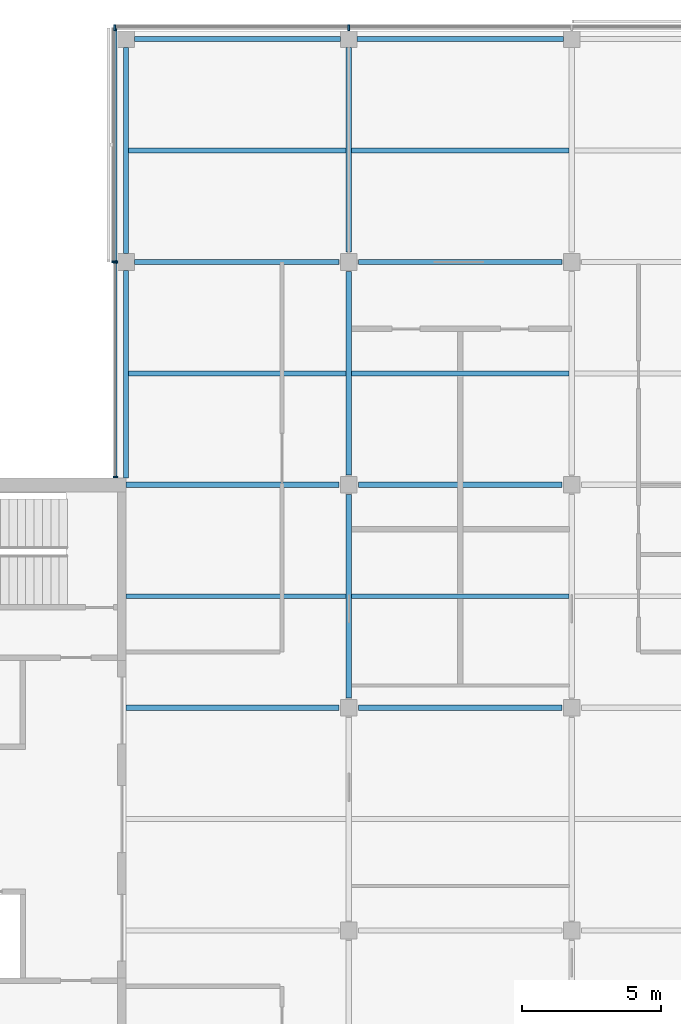
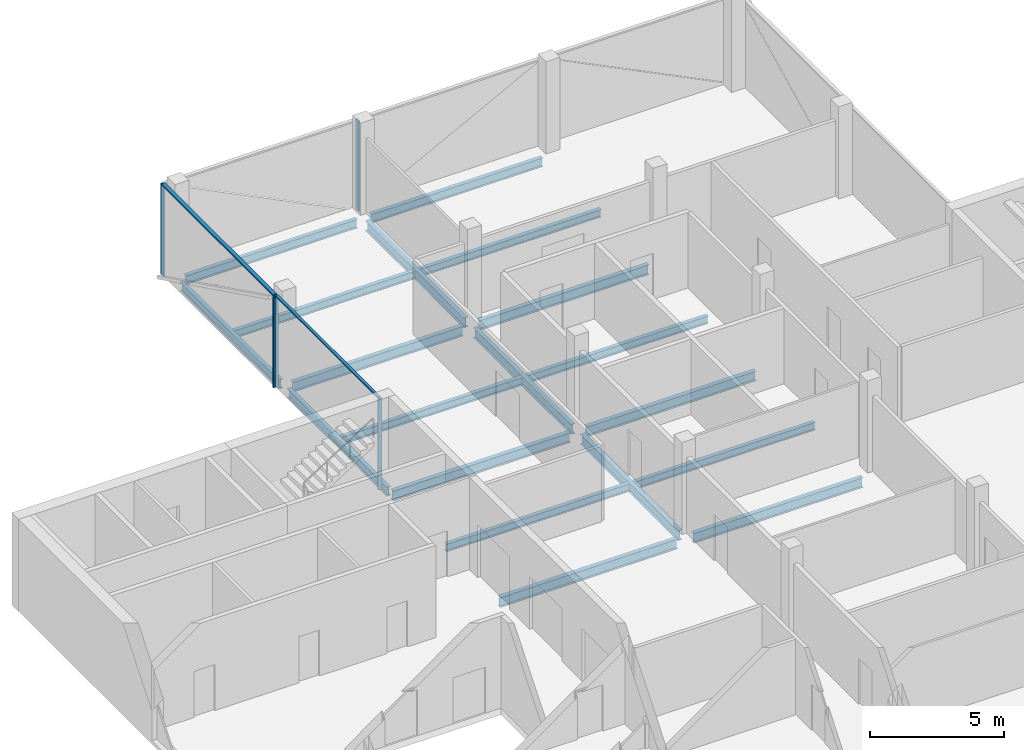
# One storey, part 5 of 16: 19 beams, 7 members, 3 elements without a shape of their own.
"""IFC4 building model written with IfcOpenShell, lengths in metres."""

import ifcopenshell
import ifcopenshell.guid

model = None  # the IFC model being written
_history = None  # IfcOwnerHistory: only IFC2X3 demands one
_inside = {}  # id of a spatial element -> (the spatial element, [elements in it])
_under = {}  # id of a project, library or spatial element -> (it, [spatial elements below it])
_declared = {}  # id of a project -> (the project, [libraries it declares])
_typed = {}  # id of a type object -> (the type object, [elements of that type])
_made_of = {}  # id of a material, layer set ... -> (it, [elements and type objects made of it])


def new_model(schema):
    """Start an empty IFC model of exactly this schema.

    Asked for "IFC4X3", IfcOpenShell would pick the latest addendum, in which some entities
    have other attributes; the version numbers below select the first issue.
    IFC2X3 requires an IfcOwnerHistory on every rooted entity: one is made here for all.
    """
    global model, _history
    if schema == "IFC4X3":
        model = ifcopenshell.file(schema_version=(4, 3, 0, 0))
    else:
        model = ifcopenshell.file(schema=schema)
    _inside.clear()
    _under.clear()
    _declared.clear()
    _typed.clear()
    _made_of.clear()
    _history = None
    if model.schema == "IFC2X3":
        org = make("IfcOrganization", Name="unknown")
        user = make(
            "IfcPersonAndOrganization",
            ThePerson=make("IfcPerson", FamilyName="unknown"),
            TheOrganization=org,
        )
        app = make(
            "IfcApplication",
            ApplicationDeveloper=org,
            Version="unknown",
            ApplicationFullName="unknown",
            ApplicationIdentifier="unknown",
        )
        _history = make(
            "IfcOwnerHistory",
            OwningUser=user,
            OwningApplication=app,
            ChangeAction="ADDED",
            CreationDate=0,
        )
    return model


def make(cls, **values):
    """One entity of the class cls with the attributes given. An attribute that is None is left unset."""
    return model.create_entity(
        cls, **{name: value for name, value in values.items() if value is not None}
    )


def rooted(cls, **values):
    """An entity with a GlobalId (a new one), such as an element, a storey or a relation."""
    return make(cls, GlobalId=ifcopenshell.guid.new(), OwnerHistory=_history, **values)


def si_unit(unit_type, name, prefix=None):
    """IfcSIUnit, for example si_unit("LENGTHUNIT", "METRE", prefix="MILLI")."""
    return make("IfcSIUnit", UnitType=unit_type, Prefix=prefix, Name=name)


def assignment(units):
    """IfcUnitAssignment: the units of a project."""
    return None if units is None else make("IfcUnitAssignment", Units=units)


def point(xyz):
    """IfcCartesianPoint."""
    return None if xyz is None else make("IfcCartesianPoint", Coordinates=xyz)


def direction(xyz):
    """IfcDirection."""
    return None if xyz is None else make("IfcDirection", DirectionRatios=xyz)


def frame(location, z_axis=None, x_axis=None):
    """IfcAxis2Placement3D, a coordinate frame: its origin and axes. An axis left out is left unset."""
    return make(
        "IfcAxis2Placement3D",
        Location=point(location),
        Axis=direction(z_axis),
        RefDirection=direction(x_axis),
    )


def frame_2d(location, x_axis=None):
    """IfcAxis2Placement2D, a coordinate frame in the plane: its origin and x axis."""
    return make(
        "IfcAxis2Placement2D", Location=point(location), RefDirection=direction(x_axis)
    )


def origin():
    """The frame at (0, 0, 0) with its axes left unset."""
    return frame((0.0, 0.0, 0.0))


def origin_2d():
    """The frame at (0, 0) in the plane with its x axis left unset."""
    return frame_2d((0.0, 0.0))


def place(relative_to, where):
    """IfcLocalPlacement: puts the frame where relative to a parent placement (None: the world)."""
    return make(
        "IfcLocalPlacement", PlacementRelTo=relative_to, RelativePlacement=where
    )


def context(
    kind, dimensions, precision=None, world=None, true_north=None, identifier=None
):
    """IfcGeometricRepresentationContext, for example the 3D "Model" context."""
    return make(
        "IfcGeometricRepresentationContext",
        ContextIdentifier=identifier,
        ContextType=kind,
        CoordinateSpaceDimension=dimensions,
        Precision=precision,
        WorldCoordinateSystem=world,
        TrueNorth=true_north,
    )


def subcontext(parent, identifier, kind, view, scale=None):
    """IfcGeometricRepresentationSubContext, for example "Body" below "Model"."""
    return make(
        "IfcGeometricRepresentationSubContext",
        ContextIdentifier=identifier,
        ContextType=kind,
        ParentContext=parent,
        TargetScale=scale,
        TargetView=view,
    )


def project(units=None, contexts=None):
    """IfcProject with its units and contexts."""
    return rooted(
        "IfcProject",
        Name="project",
        RepresentationContexts=contexts,
        UnitsInContext=assignment(units),
    )


def spatial(cls, under=None, at=None, **own):
    """A site, building, storey or space (cls), placed at a placement, below another one or the project."""
    s = rooted(cls, ObjectPlacement=at, **own)
    if under is not None:
        _under.setdefault(under.id(), (under, []))[1].append(s)
    return s


def profile(cls, at=None, kind="AREA", **sizes):
    """A parametric profile (cls). Its sizes go by their IFC names, for example OverallWidth=200.0."""
    return make(cls, ProfileType=kind, Position=at, **sizes)


def rectangle(**sizes):
    """IfcRectangleProfileDef."""
    return profile("IfcRectangleProfileDef", **sizes)


def i_section(**sizes):
    """IfcIShapeProfileDef."""
    return profile("IfcIShapeProfileDef", **sizes)


def extrude(swept, where, along, depth):
    """IfcExtrudedAreaSolid: the profile swept, set in the frame where, extruded along a direction by depth."""
    return make(
        "IfcExtrudedAreaSolid",
        SweptArea=swept,
        Position=where,
        ExtrudedDirection=direction(along),
        Depth=depth,
    )


def shape(context_of_items, identifier, shape_type, items):
    """IfcShapeRepresentation: the items that make up one representation, for example the "Body"."""
    return make(
        "IfcShapeRepresentation",
        ContextOfItems=context_of_items,
        RepresentationIdentifier=identifier,
        RepresentationType=shape_type,
        Items=items,
    )


def material(Name=None, Category=None):
    """IfcMaterial."""
    return make("IfcMaterial", Name=Name, Category=Category)


def material_profile(
    of_material, cross_section, Name=None, Category=None, Priority=None
):
    """IfcMaterialProfile: a cross section and its material."""
    return make(
        "IfcMaterialProfile",
        Name=Name,
        Material=of_material,
        Profile=cross_section,
        Priority=Priority,
        Category=Category,
    )


def profile_set(profiles, Name=None, composite=None):
    """IfcMaterialProfileSet."""
    return make(
        "IfcMaterialProfileSet",
        Name=Name,
        MaterialProfiles=profiles,
        CompositeProfile=composite,
    )


def made_of(thing, what):
    """Note that an element or type object is made of a material, layer set ...; save() writes the relation."""
    if what is not None:
        _made_of.setdefault(what.id(), (what, []))[1].append(thing)
    return thing


def type_object(cls, material=None, **own):
    """A type object (cls), such as IfcWallType, which elements share."""
    return made_of(rooted(cls, **own), material)


def element(
    cls,
    number,
    at=None,
    inside=None,
    cuts=None,
    type_object=None,
    material=None,
    context=None,
    identifier="Body",
    shape_type=None,
    held_by="IfcProductDefinitionShape",
    body=None,
    shapes=None,
    **own,
):
    """One element of the class cls, such as IfcWall. Its Tag is "e" and its number.

    at: its placement. inside: the storey or other place that contains it. cuts: it is an
    opening in that element (IfcRelVoidsElement). A single representation is given by context,
    identifier, shape_type and body (its items); several are given by shapes. held_by: the class
    of the entity that holds the representations. save() writes the other relations.
    """
    e = rooted(cls, Tag="e%d" % number, ObjectPlacement=at, **own)
    if body is not None:
        shapes = [shape(context, identifier, shape_type, body)]
    if shapes is not None:
        e.Representation = make(held_by, Representations=shapes)
    if inside is not None:
        _inside.setdefault(inside.id(), (inside, []))[1].append(e)
    if cuts is not None:
        rooted(
            "IfcRelVoidsElement", RelatingBuildingElement=cuts, RelatedOpeningElement=e
        )
    if type_object is not None:
        _typed.setdefault(type_object.id(), (type_object, []))[1].append(e)
    return made_of(e, material)


def aggregate(whole, parts):
    """IfcRelAggregates: a whole, such as a stair, and the parts it consists of."""
    return rooted("IfcRelAggregates", RelatingObject=whole, RelatedObjects=parts)


def save(model, path):
    """Write the relations noted so far, then the file.

    IfcRelAggregates (storeys below a building ...), IfcRelContainedInSpatialStructure (elements
    in a storey), IfcRelDefinesByType, IfcRelAssociatesMaterial and IfcRelDeclares: one each for
    every whole, place, type object, material and project.
    """
    for whole, parts in _under.values():
        aggregate(whole, parts)
    for where, things in _inside.values():
        rooted(
            "IfcRelContainedInSpatialStructure",
            RelatedElements=things,
            RelatingStructure=where,
        )
    for kind, things in _typed.values():
        rooted("IfcRelDefinesByType", RelatedObjects=things, RelatingType=kind)
    for what, things in _made_of.values():
        rooted("IfcRelAssociatesMaterial", RelatedObjects=things, RelatingMaterial=what)
    for by, libraries in _declared.values():
        rooted("IfcRelDeclares", RelatingContext=by, RelatedDefinitions=libraries)
    model.write(path)


model = new_model("IFC4")

# Units and contexts
model_context = context("Model", 3, precision=1e-05, world=origin(), true_north=direction((0.0, 1.0)))
body_context = subcontext(model_context, "Body", "Model", "MODEL_VIEW")
ifc_project = project(units=[si_unit("LENGTHUNIT", "METRE"), si_unit("AREAUNIT", "SQUARE_METRE"), si_unit("VOLUMEUNIT", "CUBIC_METRE"), si_unit("PLANEANGLEUNIT", "RADIAN"), si_unit("MASSUNIT", "GRAM", prefix="KILO")], contexts=[model_context])

# Site, building, storey
site_placement = place(None, origin())
site = spatial("IfcSite", under=ifc_project, at=site_placement, CompositionType="ELEMENT")
building_placement = place(site_placement, origin())
building = spatial("IfcBuilding", under=site, at=building_placement, Name="Crosswind Convention Tower", CompositionType="ELEMENT")
storey_placement = place(building_placement, frame((0.0, 0.0, 295.5)))
storey = spatial("IfcBuildingStorey", under=building, at=storey_placement, Name="L64", CompositionType="ELEMENT", Elevation=295.5)

# Beams
ifc_material_1 = material(Name="Steel S355", Category="steel")
ifc_material_profile_1 = material_profile(ifc_material_1, i_section(OverallWidth=0.177734375, OverallDepth=0.406494140625, WebThickness=0.0078125, FlangeThickness=0.0126953125, FilletRadius=0.01025390625, at=origin_2d()), Name="UB 406x178x60")
ifc_profile_set_1 = profile_set([ifc_material_profile_1], Name="Steel S355")
beam_type_1 = type_object("IfcBeamType", Name="Edge beam UB 406x178x60", PredefinedType="SPANDREL", material=ifc_profile_set_1)
beam_1_placement = place(storey_placement, frame((113.0, 112.25, -0.503173828125), z_axis=(0.0, 1.0, 0.0), x_axis=(-1.0, 0.0, 0.0)))
element("IfcBeam", 1, at=beam_1_placement, inside=storey, type_object=beam_type_1, Name="B15 L64 edge beam 3", PredefinedType="SPANDREL", context=body_context, shape_type="SweptSolid", body=[
    extrude(i_section(OverallWidth=0.177734375, OverallDepth=0.406494140625, WebThickness=0.0078125, FlangeThickness=0.0126953125, FilletRadius=0.01025390625, at=origin_2d()), origin(), (0.0, 0.0, 1.0), 7.449951171875),
])
for number, where, z_axis, x_axis, name in (
    (2, (113.0, 120.300048828125, -0.503173828125), (0.0, 1.0, 0.0), (-1.0, 0.0, 0.0), "B15 L64 edge beam 4"),
    (3, (113.300048828125, 128.0, -0.503173828125), (1.0, 0.0, 0.0), (0.0, 1.0, 0.0), "B15 L64 edge beam 6"),
    (4, (121.300048828125, 128.0, -0.503173828125), (1.0, 0.0, 0.0), (0.0, 1.0, 0.0), "B15 L64 edge beam 8"),
):
    element("IfcBeam", number, at=place(storey_placement, frame(where, z_axis=z_axis, x_axis=x_axis)), inside=storey, type_object=beam_type_1, Name=name, PredefinedType="SPANDREL", context=body_context, shape_type="SweptSolid", body=[
        extrude(i_section(OverallWidth=0.177734375, OverallDepth=0.406494140625, WebThickness=0.0078125, FlangeThickness=0.0126953125, FilletRadius=0.01025390625, at=origin_2d()), origin(), (0.0, 0.0, 1.0), 7.39990234375),
    ])
ifc_material_profile_2 = material_profile(ifc_material_1, i_section(OverallWidth=0.18994140625, OverallDepth=0.45361328125, WebThickness=0.008544921875, FlangeThickness=0.0126953125, FilletRadius=0.01025390625, at=origin_2d()), Name="UB 457x191x67")
ifc_profile_set_2 = profile_set([ifc_material_profile_2], Name="Steel S355")
beam_type_2 = type_object("IfcBeamType", Name="Girder UB 457x191x67", PredefinedType="BEAM", material=ifc_profile_set_2)
beam_2_placement = place(storey_placement, frame((113.300048828125, 120.0, -0.52685546875), z_axis=(1.0, 0.0, 0.0), x_axis=(0.0, 1.0, 0.0)))
element("IfcBeam", 5, at=beam_2_placement, inside=storey, type_object=beam_type_2, Name="B1 L64 girder 2", PredefinedType="BEAM", context=body_context, shape_type="SweptSolid", body=[
    extrude(i_section(OverallWidth=0.18994140625, OverallDepth=0.45361328125, WebThickness=0.008544921875, FlangeThickness=0.0126953125, FilletRadius=0.01025390625, at=origin_2d()), origin(), (0.0, 0.0, 1.0), 7.349853515625),
])
for number, where, z_axis, x_axis, name in (
    (6, (121.0, 104.35009765625, -0.52685546875), (0.0, 1.0, 0.0), (-1.0, 0.0, 0.0), "B1 L64 girder 7"),
    (7, (121.0, 112.35009765625, -0.52685546875), (0.0, 1.0, 0.0), (-1.0, 0.0, 0.0), "B1 L64 girder 8"),
):
    element("IfcBeam", number, at=place(storey_placement, frame(where, z_axis=z_axis, x_axis=x_axis)), inside=storey, type_object=beam_type_2, Name=name, PredefinedType="BEAM", context=body_context, shape_type="SweptSolid", body=[
        extrude(i_section(OverallWidth=0.18994140625, OverallDepth=0.45361328125, WebThickness=0.008544921875, FlangeThickness=0.0126953125, FilletRadius=0.01025390625, at=origin_2d()), origin(), (0.0, 0.0, 1.0), 7.2998046875),
    ])
beam_3_placement = place(storey_placement, frame((121.0, 120.35009765625, -0.52685546875), z_axis=(0.0, 1.0, 0.0), x_axis=(-1.0, 0.0, 0.0)))
element("IfcBeam", 8, at=beam_3_placement, inside=storey, type_object=beam_type_2, Name="B1 L64 girder 9", PredefinedType="BEAM", context=body_context, shape_type="SweptSolid", body=[
    extrude(i_section(OverallWidth=0.18994140625, OverallDepth=0.45361328125, WebThickness=0.008544921875, FlangeThickness=0.0126953125, FilletRadius=0.01025390625, at=origin_2d()), origin(), (0.0, 0.0, 1.0), 7.349853515625),
])
for number, where, z_axis, x_axis, name in (
    (9, (121.35009765625, 104.0, -0.52685546875), (1.0, 0.0, 0.0), (0.0, 1.0, 0.0), "B1 L64 girder 13"),
    (10, (121.35009765625, 112.0, -0.52685546875), (1.0, 0.0, 0.0), (0.0, 1.0, 0.0), "B1 L64 girder 14"),
    (11, (121.35009765625, 120.0, -0.52685546875), (1.0, 0.0, 0.0), (0.0, 1.0, 0.0), "B1 L64 girder 15"),
):
    element("IfcBeam", number, at=place(storey_placement, frame(where, z_axis=z_axis, x_axis=x_axis)), inside=storey, type_object=beam_type_2, Name=name, PredefinedType="BEAM", context=body_context, shape_type="SweptSolid", body=[
        extrude(i_section(OverallWidth=0.18994140625, OverallDepth=0.45361328125, WebThickness=0.008544921875, FlangeThickness=0.0126953125, FilletRadius=0.01025390625, at=origin_2d()), origin(), (0.0, 0.0, 1.0), 7.2998046875),
    ])
ifc_material_profile_3 = material_profile(ifc_material_1, i_section(OverallWidth=0.1904296875, OverallDepth=0.457275390625, WebThickness=0.009033203125, FlangeThickness=0.014404296875, FilletRadius=0.01025390625, at=origin_2d()), Name="UB 457x191x75")
ifc_profile_set_3 = profile_set([ifc_material_profile_3], Name="Steel S355")
beam_type_3 = type_object("IfcBeamType", Name="Girder at core wall UB 457x191x75", PredefinedType="BEAM", material=ifc_profile_set_3)
for number, where, z_axis, x_axis, name in (
    (12, (113.0, 104.0, -0.528564453125), (1.0, 0.0, 0.0), (0.0, 1.0, 0.0), "B22 L64 girder at core wall 3"),
    (13, (113.0, 112.0, -0.528564453125), (1.0, 0.0, 0.0), (0.0, 1.0, 0.0), "B22 L64 girder at core wall 4"),
):
    element("IfcBeam", number, at=place(storey_placement, frame(where, z_axis=z_axis, x_axis=x_axis)), inside=storey, type_object=beam_type_3, Name=name, PredefinedType="BEAM", context=body_context, shape_type="SweptSolid", body=[
        extrude(i_section(OverallWidth=0.1904296875, OverallDepth=0.457275390625, WebThickness=0.009033203125, FlangeThickness=0.014404296875, FilletRadius=0.01025390625, at=origin_2d()), origin(), (0.0, 0.0, 1.0), 7.64990234375),
    ])

# Curtain wall, members
ifc_material_2 = material(Name="Aluminium unitised curtain wall", Category="aluminium")
curtain_wall_type_1 = type_object("IfcCurtainWallType", Name="CORE END SLOT WALL 160", PredefinedType="USERDEFINED", material=ifc_material_2)
curtain_wall_1_placement = place(storey_placement, origin())
curtain_wall_1 = element("IfcCurtainWall", 14, at=curtain_wall_1_placement, inside=storey, type_object=curtain_wall_type_1, Name="CW6 L64 N-W.1-2 slot", ObjectType="UNITISED", PredefinedType="USERDEFINED")
ifc_material_3 = material(Name="Aluminium mullion", Category="aluminium")
ifc_material_profile_4 = material_profile(ifc_material_3, rectangle(XDim=0.159912109375, YDim=0.050048828125, at=origin_2d()), Name="AL 160X50")
ifc_profile_set_4 = profile_set([ifc_material_profile_4], Name="Aluminium mullion")
member_type_1 = type_object("IfcMemberType", Name="MULLION 50X160", PredefinedType="MULLION", material=ifc_profile_set_4)
member_1_placement = place(storey_placement, frame((112.6201171875, 119.97509765625, -0.300048828125), z_axis=(0.0, 0.0, 1.0), x_axis=(-1.0, 0.0, 0.0)))
member_1 = element("IfcMember", 15, at=member_1_placement, type_object=member_type_1, Name="CW6 mullion 1", PredefinedType="MULLION", context=body_context, shape_type="SweptSolid", body=[
    extrude(rectangle(XDim=0.159912109375, YDim=0.050048828125, at=origin_2d()), origin(), (0.0, 0.0, 1.0), 4.150146484375),
])
member_2_placement = place(storey_placement, frame((112.6201171875, 112.27490234375, -0.300048828125), z_axis=(0.0, 0.0, 1.0), x_axis=(-1.0, 0.0, 0.0)))
member_2 = element("IfcMember", 16, at=member_2_placement, type_object=member_type_1, Name="CW6 mullion 2", PredefinedType="MULLION", context=body_context, shape_type="SweptSolid", body=[
    extrude(rectangle(XDim=0.159912109375, YDim=0.050048828125, at=origin_2d()), origin(), (0.0, 0.0, 1.0), 4.150146484375),
])

curtain_wall_type_2 = type_object("IfcCurtainWallType", Name="OFFICE UNITISED WALL 220", PredefinedType="USERDEFINED", material=ifc_material_2)
curtain_wall_2_placement = place(storey_placement, origin())
curtain_wall_2 = element("IfcCurtainWall", 17, at=curtain_wall_2_placement, inside=storey, type_object=curtain_wall_type_2, Name="CW3 L64 N-TIP 1", ObjectType="UNITISED", PredefinedType="USERDEFINED")
ifc_material_profile_5 = material_profile(ifc_material_3, rectangle(XDim=0.219970703125, YDim=0.070068359375, at=origin_2d()), Name="AL 220X70")
ifc_profile_set_5 = profile_set([ifc_material_profile_5], Name="Aluminium mullion")
member_type_2 = type_object("IfcMemberType", Name="MULLION 70X220", PredefinedType="MULLION", material=ifc_profile_set_5)
member_3_placement = place(storey_placement, frame((121.0, 128.409912109375, -0.300048828125), z_axis=(0.0, 0.0, 1.0), x_axis=(0.0, 1.0, 0.0)))
member_3 = element("IfcMember", 18, at=member_3_placement, type_object=member_type_2, Name="CW3 mullion 3", PredefinedType="MULLION", context=body_context, shape_type="SweptSolid", body=[
    extrude(rectangle(XDim=0.219970703125, YDim=0.070068359375, at=origin_2d()), origin(), (0.0, 0.0, 1.0), 4.130126953125),
])
member_4_placement = place(storey_placement, frame((112.590087890625, 128.409912109375, -0.300048828125), z_axis=(0.0, 0.0, 1.0), x_axis=(0.0, 1.0, 0.0)))
member_4 = element("IfcMember", 19, at=member_4_placement, type_object=member_type_2, Name="CW3 mullion 4", PredefinedType="MULLION", context=body_context, shape_type="SweptSolid", body=[
    extrude(rectangle(XDim=0.219970703125, YDim=0.070068359375, at=origin_2d()), origin(), (0.0, 0.0, 1.0), 4.130126953125),
])
aggregate(curtain_wall_2, [member_3, member_4])

# Curtain wall, member
curtain_wall_3_placement = place(storey_placement, origin())
curtain_wall_3 = element("IfcCurtainWall", 20, at=curtain_wall_3_placement, inside=storey, type_object=curtain_wall_type_2, Name="CW3 L64 N-W 1", ObjectType="UNITISED", PredefinedType="USERDEFINED")
member_5_placement = place(storey_placement, frame((112.590087890625, 120.0, -0.300048828125), z_axis=(0.0, 0.0, 1.0), x_axis=(-1.0, 0.0, 0.0)))
member_5 = element("IfcMember", 21, at=member_5_placement, type_object=member_type_2, Name="CW3 mullion 2", PredefinedType="MULLION", context=body_context, shape_type="SweptSolid", body=[
    extrude(rectangle(XDim=0.219970703125, YDim=0.070068359375, at=origin_2d()), origin(), (0.0, 0.0, 1.0), 4.130126953125),
])

# Beams
ifc_material_profile_6 = material_profile(ifc_material_1, i_section(OverallWidth=0.17138671875, OverallDepth=0.355712890625, WebThickness=0.00732421875, FlangeThickness=0.011474609375, FilletRadius=0.01025390625, at=origin_2d()), Name="UB 356x171x51")
ifc_profile_set_6 = profile_set([ifc_material_profile_6], Name="Steel S355")
beam_type_4 = type_object("IfcBeamType", Name="Secondary beam UB 356x171x51", PredefinedType="JOIST", material=ifc_profile_set_6)
beam_4_placement = place(storey_placement, frame((113.0, 108.0, -0.477783203125), z_axis=(1.0, 0.0, 0.0), x_axis=(0.0, 1.0, 0.0)))
element("IfcBeam", 22, at=beam_4_placement, inside=storey, type_object=beam_type_4, Name="B8 L64 secondary beam 3", PredefinedType="JOIST", context=body_context, shape_type="SweptSolid", body=[
    extrude(i_section(OverallWidth=0.17138671875, OverallDepth=0.355712890625, WebThickness=0.00732421875, FlangeThickness=0.011474609375, FilletRadius=0.01025390625, at=origin_2d()), origin(), (0.0, 0.0, 1.0), 7.905029296875),
])
for number, where, z_axis, x_axis, name in (
    (23, (113.0888671875, 116.0, -0.477783203125), (1.0, 0.0, 0.0), (0.0, 1.0, 0.0), "B8 L64 secondary beam 6"),
    (24, (113.0888671875, 124.0, -0.477783203125), (1.0, 0.0, 0.0), (0.0, 1.0, 0.0), "B8 L64 secondary beam 7"),
):
    element("IfcBeam", number, at=place(storey_placement, frame(where, z_axis=z_axis, x_axis=x_axis)), inside=storey, type_object=beam_type_4, Name=name, PredefinedType="JOIST", context=body_context, shape_type="SweptSolid", body=[
        extrude(i_section(OverallWidth=0.17138671875, OverallDepth=0.355712890625, WebThickness=0.00732421875, FlangeThickness=0.011474609375, FilletRadius=0.01025390625, at=origin_2d()), origin(), (0.0, 0.0, 1.0), 7.816162109375),
    ])
for number, where, z_axis, x_axis, name in (
    (25, (121.094970703125, 108.0, -0.477783203125), (1.0, 0.0, 0.0), (0.0, 1.0, 0.0), "B8 L64 secondary beam 12"),
    (26, (121.094970703125, 116.0, -0.477783203125), (1.0, 0.0, 0.0), (0.0, 1.0, 0.0), "B8 L64 secondary beam 13"),
    (27, (121.094970703125, 124.0, -0.477783203125), (1.0, 0.0, 0.0), (0.0, 1.0, 0.0), "B8 L64 secondary beam 14"),
):
    element("IfcBeam", number, at=place(storey_placement, frame(where, z_axis=z_axis, x_axis=x_axis)), inside=storey, type_object=beam_type_4, Name=name, PredefinedType="JOIST", context=body_context, shape_type="SweptSolid", body=[
        extrude(i_section(OverallWidth=0.17138671875, OverallDepth=0.355712890625, WebThickness=0.00732421875, FlangeThickness=0.011474609375, FilletRadius=0.01025390625, at=origin_2d()), origin(), (0.0, 0.0, 1.0), 7.81005859375),
    ])

# Member
ifc_material_4 = material(Name="Aluminium transom", Category="aluminium")
ifc_material_profile_7 = material_profile(ifc_material_4, rectangle(XDim=0.1201171875, YDim=0.050048828125, at=origin_2d()), Name="AL 120X50")
ifc_profile_set_7 = profile_set([ifc_material_profile_7], Name="Aluminium transom")
member_type_3 = type_object("IfcMemberType", Name="TRANSOM 50X120", PredefinedType="USERDEFINED", material=ifc_profile_set_7)
member_6_placement = place(storey_placement, frame((112.6201171875, 119.949951171875, 3.875), z_axis=(0.0, -1.0, 0.0), x_axis=(1.0, 0.0, 0.0)))
member_6 = element("IfcMember", 28, at=member_6_placement, type_object=member_type_3, Name="CW6 transom", ObjectType="TRANSOM", PredefinedType="USERDEFINED", context=body_context, shape_type="SweptSolid", body=[
    extrude(rectangle(XDim=0.1201171875, YDim=0.050048828125, at=origin_2d()), origin(), (0.0, 0.0, 1.0), 7.64990234375),
])

aggregate(curtain_wall_1, [member_1, member_2, member_6])

ifc_material_profile_8 = material_profile(ifc_material_4, rectangle(XDim=0.159912109375, YDim=0.070068359375, at=origin_2d()), Name="AL 160X70")
ifc_profile_set_8 = profile_set([ifc_material_profile_8], Name="Aluminium transom")
member_type_4 = type_object("IfcMemberType", Name="TRANSOM 70X160", PredefinedType="USERDEFINED", material=ifc_profile_set_8)
member_7_placement = place(storey_placement, frame((112.590087890625, 128.375, 3.864990234375), z_axis=(0.0, -1.0, 0.0), x_axis=(1.0, 0.0, 0.0)))
member_7 = element("IfcMember", 29, at=member_7_placement, type_object=member_type_4, Name="CW3 transom", ObjectType="TRANSOM", PredefinedType="USERDEFINED", context=body_context, shape_type="SweptSolid", body=[
    extrude(rectangle(XDim=0.159912109375, YDim=0.070068359375, at=origin_2d()), origin(), (0.0, 0.0, 1.0), 8.340087890625),
])

aggregate(curtain_wall_3, [member_5, member_7])

save(model, "model.ifc")
